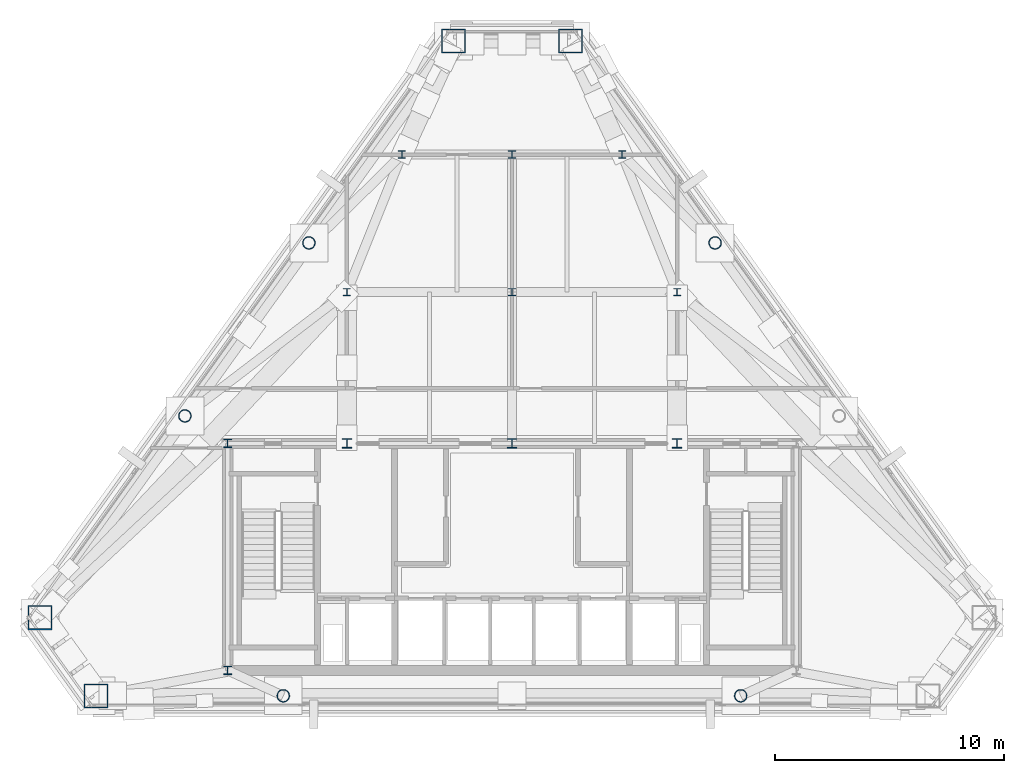
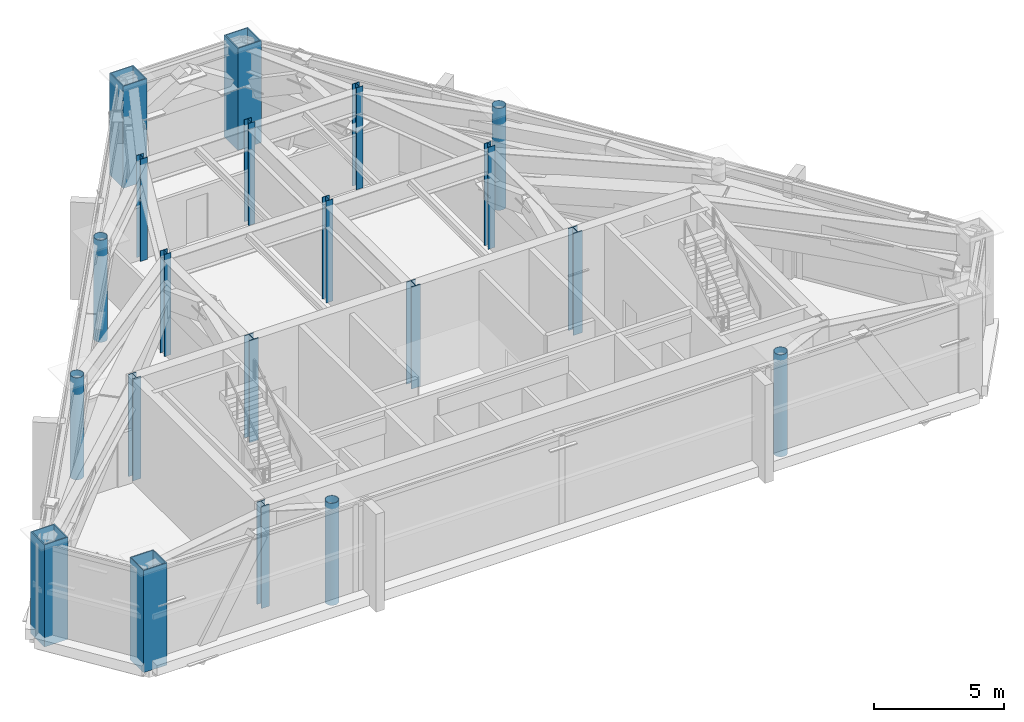
# One storey, part 1 of 9: 20 columns.
"""IFC4 building model written with IfcOpenShell, lengths in metres."""

from ifc_helpers import new_model, si_unit, direction, frame, origin, origin_2d, place, context, subcontext, project, spatial, hollow_rectangle, hollow_circle, i_section, extrude, material, material_profile, profile_set, type_object, element, save


model = new_model("IFC4")

# Units and contexts
model_context = context("Model", 3, precision=1e-05, world=origin(), true_north=direction((0.0, 1.0)))
body_context = subcontext(model_context, "Body", "Model", "MODEL_VIEW")
ifc_project = project(units=[si_unit("LENGTHUNIT", "METRE"), si_unit("AREAUNIT", "SQUARE_METRE"), si_unit("VOLUMEUNIT", "CUBIC_METRE"), si_unit("PLANEANGLEUNIT", "RADIAN"), si_unit("MASSUNIT", "GRAM", prefix="KILO")], contexts=[model_context])

# Site, building, storey
site_placement = place(None, origin())
site = spatial("IfcSite", under=ifc_project, at=site_placement, CompositionType="ELEMENT")
building_placement = place(site_placement, origin())
building = spatial("IfcBuilding", under=site, at=building_placement, Name="Talgorran Terracotta Tower", CompositionType="ELEMENT")
storey_placement = place(building_placement, frame((0.0, 0.0, 244.199951171875)))
storey = spatial("IfcBuildingStorey", under=building, at=storey_placement, Name="L64", CompositionType="ELEMENT", Elevation=244.199951171875)

# Columns
ifc_material_1 = material(Name="Steel S355 (300PLUS)", Category="steel")
ifc_material_profile_1 = material_profile(ifc_material_1, i_section(OverallWidth=0.306884765625, OverallDepth=0.314453125, WebThickness=0.011962890625, FlangeThickness=0.018798828125, at=origin_2d()), Name="310UC118")
ifc_profile_set_1 = profile_set([ifc_material_profile_1], Name="Steel S355 (300PLUS)")
column_type_1 = type_object("IfcColumnType", Name="COL_310UC118", PredefinedType="COLUMN", material=ifc_profile_set_1)
for number, where, z_axis, x_axis, name in (
    (1, (-7.199951171875, 2.39990234375, 0.0), (0.0, 0.0, 1.0), (1.0, 0.0, 0.0), "L64 Interior Gravity Column IC1"),
    (2, (0.0, 2.39990234375, 0.0), (0.0, 0.0, 1.0), (1.0, 0.0, 0.0), "L64 Interior Gravity Column IC2"),
    (3, (7.199951171875, 2.39990234375, 0.0), (0.0, 0.0, 1.0), (1.0, 0.0, 0.0), "L64 Interior Gravity Column IC3"),
    (4, (-4.800048828125, 8.39990234375, 0.0), (0.0, 0.0, 1.0), (1.0, 0.0, 0.0), "L64 Interior Gravity Column IC4"),
    (5, (0.0, 8.39990234375, 0.0), (0.0, 0.0, 1.0), (1.0, 0.0, 0.0), "L64 Interior Gravity Column IC5"),
    (6, (4.800048828125, 8.39990234375, 0.0), (0.0, 0.0, 1.0), (1.0, 0.0, 0.0), "L64 Interior Gravity Column IC6"),
):
    element("IfcColumn", number, at=place(storey_placement, frame(where, z_axis=z_axis, x_axis=x_axis)), inside=storey, type_object=column_type_1, Name=name, PredefinedType="COLUMN", context=body_context, shape_type="SweptSolid", body=[
        extrude(i_section(OverallWidth=0.306884765625, OverallDepth=0.314453125, WebThickness=0.011962890625, FlangeThickness=0.018798828125, at=origin_2d()), origin(), (0.0, 0.0, 1.0), 4.800048828125),
    ])
ifc_material_profile_2 = material_profile(ifc_material_1, i_section(OverallWidth=0.35205078125, OverallDepth=0.35888671875, WebThickness=0.01806640625, FlangeThickness=0.02587890625, at=origin_2d()), Name="350WC197")
ifc_profile_set_2 = profile_set([ifc_material_profile_2], Name="Steel S355 (300PLUS)")
column_type_2 = type_object("IfcColumnType", Name="COL_350WC197", PredefinedType="COLUMN", material=ifc_profile_set_2)
for number, where, z_axis, x_axis, name in (
    (7, (-12.39990234375, -14.10009765625, 0.0), (0.0, 0.0, 1.0), (1.0, 0.0, 0.0), "L64 Core Boundary Column CC1"),
    (8, (-12.39990234375, -4.199951171875, 0.0), (0.0, 0.0, 1.0), (1.0, 0.0, 0.0), "L64 Core Boundary Column CC4"),
):
    element("IfcColumn", number, at=place(storey_placement, frame(where, z_axis=z_axis, x_axis=x_axis)), inside=storey, type_object=column_type_2, Name=name, PredefinedType="COLUMN", context=body_context, shape_type="SweptSolid", body=[
        extrude(i_section(OverallWidth=0.35205078125, OverallDepth=0.35888671875, WebThickness=0.01806640625, FlangeThickness=0.02587890625, at=origin_2d()), origin(), (0.0, 0.0, 1.0), 4.800048828125),
    ])
ifc_material_2 = material(Name="Steel Grade 350 (350L0)", Category="steel")
ifc_material_profile_3 = material_profile(ifc_material_2, hollow_rectangle(XDim=1.050048828125, YDim=1.050048828125, WallThickness=0.044921875, at=origin_2d()), Name="CFT1050X1050X45")
ifc_profile_set_3 = profile_set([ifc_material_profile_3], Name="Steel Grade 350 (350L0)")
column_type_3 = type_object("IfcColumnType", Name="COL_CFT_1050", PredefinedType="COLUMN", material=ifc_profile_set_3)
for number, where, z_axis, x_axis, name in (
    (9, (-20.5791015625, -11.802001953125, 0.0), (0.0, 0.0, 1.0), (1.0, 0.0, 0.0), "L64 Corner CFT Mega-Column MC1"),
    (10, (-18.13720703125, -15.207763671875, 0.0), (0.0, 0.0, 1.0), (1.0, 0.0, 0.0), "L64 Corner CFT Mega-Column MC2"),
    (11, (2.547607421875, 13.3486328125, 0.0), (0.0, 0.0, 1.0), (1.0, 0.0, 0.0), "L64 Corner CFT Mega-Column MC5"),
    (12, (-2.547607421875, 13.3486328125, 0.0), (0.0, 0.0, 1.0), (1.0, 0.0, 0.0), "L64 Corner CFT Mega-Column MC6"),
):
    element("IfcColumn", number, at=place(storey_placement, frame(where, z_axis=z_axis, x_axis=x_axis)), inside=storey, type_object=column_type_3, Name=name, PredefinedType="COLUMN", context=body_context, shape_type="SweptSolid", body=[
        extrude(hollow_rectangle(XDim=1.050048828125, YDim=1.050048828125, WallThickness=0.044921875, at=origin_2d()), origin(), (0.0, 0.0, 1.0), 4.800048828125),
    ])
ifc_material_profile_4 = material_profile(ifc_material_2, hollow_circle(Radius=0.27490234375, WallThickness=0.02392578125, at=origin_2d()), Name="CHS550X24")
ifc_profile_set_4 = profile_set([ifc_material_profile_4], Name="Steel Grade 350 (350L0)")
column_type_4 = type_object("IfcColumnType", Name="COL_CHS_550", PredefinedType="COLUMN", material=ifc_profile_set_4)
for number, where, z_axis, x_axis, name in (
    (13, (-9.9755859375, -15.207763671875, 0.0), (0.0, 0.0, 1.0), (1.0, 0.0, 0.0), "L64 Facet Perimeter Column FC1"),
    (14, (9.9755859375, -15.207763671875, 0.0), (0.0, 0.0, 1.0), (1.0, 0.0, 0.0), "L64 Facet Perimeter Column FC2"),
    (15, (8.8583984375, 4.5458984375, 0.0), (0.0, 0.0, 1.0), (1.0, 0.0, 0.0), "L64 Facet Perimeter Column FC4"),
    (16, (-8.8583984375, 4.5458984375, 0.0), (0.0, 0.0, 1.0), (1.0, 0.0, 0.0), "L64 Facet Perimeter Column FC5"),
    (17, (-14.26806640625, -2.999267578125, 0.0), (0.0, 0.0, 1.0), (1.0, 0.0, 0.0), "L64 Facet Perimeter Column FC6"),
):
    element("IfcColumn", number, at=place(storey_placement, frame(where, z_axis=z_axis, x_axis=x_axis)), inside=storey, type_object=column_type_4, Name=name, PredefinedType="COLUMN", context=body_context, shape_type="SweptSolid", body=[
        extrude(hollow_circle(Radius=0.27490234375, WallThickness=0.02392578125, at=origin_2d()), origin(), (0.0, 0.0, 1.0), 4.800048828125),
    ])
ifc_material_profile_5 = material_profile(ifc_material_1, i_section(OverallWidth=0.405029296875, OverallDepth=0.4140625, WebThickness=0.02197265625, FlangeThickness=0.031982421875, at=origin_2d()), Name="400WC270")
ifc_profile_set_5 = profile_set([ifc_material_profile_5], Name="Steel S355 (300PLUS)")
column_type_5 = type_object("IfcColumnType", Name="COL_PIL_400WC270", PredefinedType="PILASTER", material=ifc_profile_set_5)
for number, where, z_axis, x_axis, name in (
    (18, (-7.199951171875, -4.199951171875, 0.0), (0.0, 0.0, 1.0), (1.0, 0.0, 0.0), "L64 Core Shear Pilaster CP1"),
    (19, (0.0, -4.199951171875, 0.0), (0.0, 0.0, 1.0), (1.0, 0.0, 0.0), "L64 Core Shear Pilaster CP2"),
    (20, (7.199951171875, -4.199951171875, 0.0), (0.0, 0.0, 1.0), (1.0, 0.0, 0.0), "L64 Core Shear Pilaster CP3"),
):
    element("IfcColumn", number, at=place(storey_placement, frame(where, z_axis=z_axis, x_axis=x_axis)), inside=storey, type_object=column_type_5, Name=name, PredefinedType="PILASTER", context=body_context, shape_type="SweptSolid", body=[
        extrude(i_section(OverallWidth=0.405029296875, OverallDepth=0.4140625, WebThickness=0.02197265625, FlangeThickness=0.031982421875, at=origin_2d()), origin(), (0.0, 0.0, 1.0), 4.800048828125),
    ])

save(model, "model.ifc")
